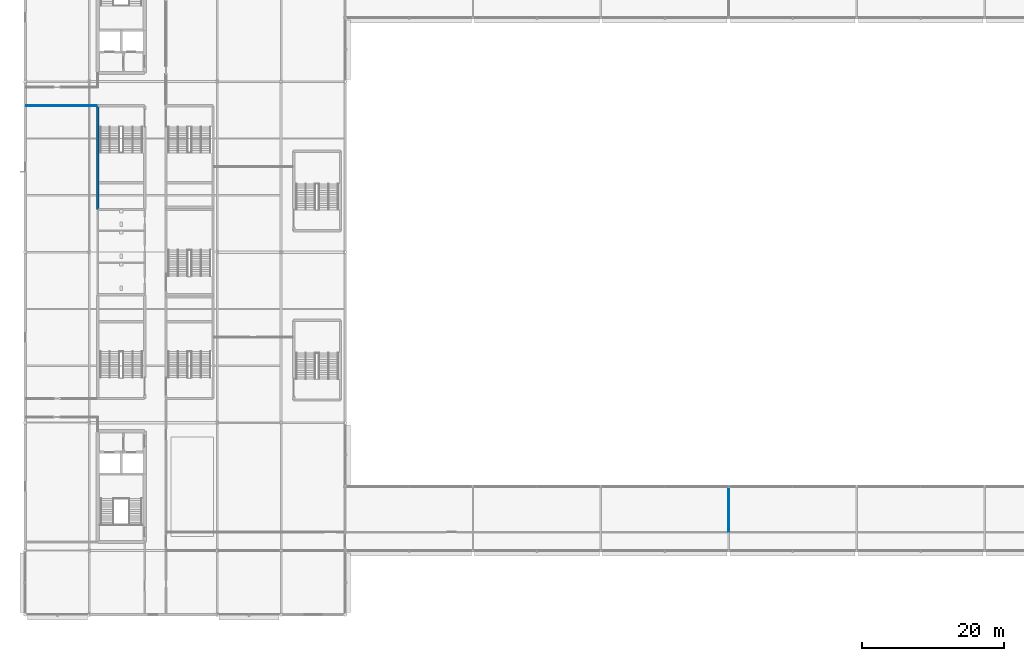
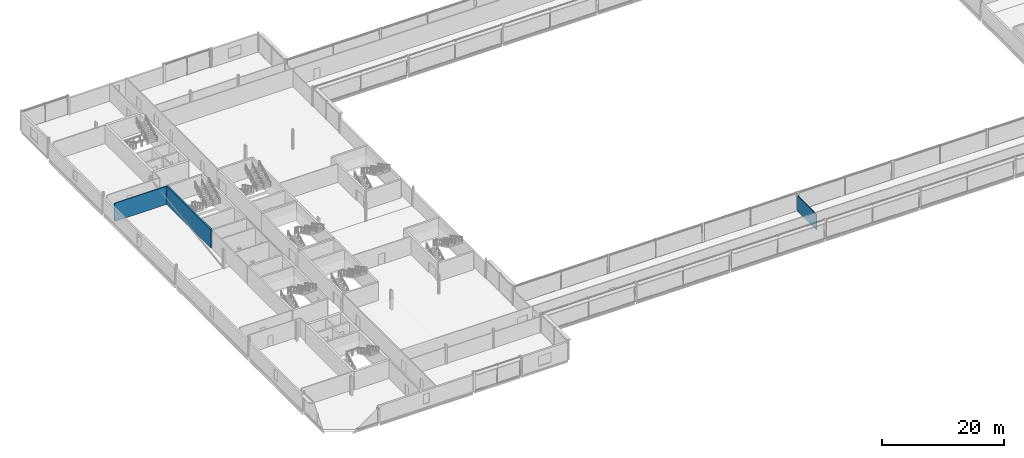
# One storey, part 56 of 96: 3 walls.
"""IFC4 building model written with IfcOpenShell, lengths in metres."""

from ifc_helpers import new_model, si_unit, direction, frame, frame_2d, origin, place, context, subcontext, project, spatial, rectangle, extrude, material, layer, layer_set, type_object, element, save


model = new_model("IFC4")

# Units and contexts
model_context = context("Model", 3, precision=1e-05, world=origin(), true_north=direction((0.0, 1.0)))
body_context = subcontext(model_context, "Body", "Model", "MODEL_VIEW")
ifc_project = project(units=[si_unit("LENGTHUNIT", "METRE"), si_unit("AREAUNIT", "SQUARE_METRE"), si_unit("VOLUMEUNIT", "CUBIC_METRE"), si_unit("PLANEANGLEUNIT", "RADIAN"), si_unit("MASSUNIT", "GRAM", prefix="KILO")], contexts=[model_context])

# Site, building, storey
site_placement = place(None, origin())
site = spatial("IfcSite", under=ifc_project, at=site_placement, CompositionType="ELEMENT")
building_placement = place(site_placement, origin())
building = spatial("IfcBuilding", under=site, at=building_placement, Name="Kisiwana Market Hall", CompositionType="ELEMENT")
storey_placement = place(building_placement, frame((0.0, 0.0, 25.5)))
storey = spatial("IfcBuildingStorey", under=building, at=storey_placement, Name="L05", CompositionType="ELEMENT", Elevation=25.5)

# Walls
ifc_material_1 = material(Name="Concrete C40/50", Category="concrete")
ifc_layer_1 = layer(ifc_material_1, 0.320068359375, Name="Reinforced concrete shaft wall")
ifc_layer_set_1 = layer_set([ifc_layer_1], Name="WL-CORE-320")
wall_type_1 = type_object("IfcWallType", Name="WL-CORE-320", PredefinedType="SHEAR", material=ifc_layer_set_1)
wall_1_placement = place(storey_placement, frame((10.199951171875, 66.0, 0.0), z_axis=(0.0, 0.0, 1.0), x_axis=(0.0, 1.0, 0.0)))
element("IfcWall", 1, at=wall_1_placement, inside=storey, type_object=wall_type_1, Name="Core W4 outer shear wall W-1745", PredefinedType="SHEAR", context=body_context, shape_type="SweptSolid", body=[
    extrude(rectangle(XDim=14.60009765625, YDim=0.320068359375, at=frame_2d((7.300048828125, 0.0))), origin(), (0.0, 0.0, 1.0), 3.655029296875),
])
ifc_material_2 = material(Name="Gypsum plasterboard")
ifc_layer_2 = layer(ifc_material_2, 0.125, Name="Double gypsum board + acoustic stud")
ifc_layer_set_2 = layer_set([ifc_layer_2], Name="WL-OFF-125")
wall_type_2 = type_object("IfcWallType", Name="WL-OFF-125", PredefinedType="PARTITIONING", material=ifc_layer_set_2)
wall_2_placement = place(storey_placement, frame((99.0, 20.68505859375, 0.0), z_axis=(0.0, 0.0, 1.0), x_axis=(0.0, 1.0, 0.0)))
element("IfcWall", 2, at=wall_2_placement, inside=storey, type_object=wall_type_2, Name="Interior partition W-1886", PredefinedType="PARTITIONING", context=body_context, shape_type="SweptSolid", body=[
    extrude(rectangle(XDim=6.23486328125, YDim=0.125, at=frame_2d((3.117431640625, 0.0))), origin(), (0.0, 0.0, 1.0), 3.101806640625),
])
ifc_material_3 = material(Name="Masonry blockwork", Category="masonry")
ifc_layer_3 = layer(ifc_material_3, 0.139892578125)
ifc_layer_set_3 = layer_set([ifc_layer_3], Name="WL-PART-140")
wall_type_3 = type_object("IfcWallType", Name="WL-PART-140", PredefinedType="PARTITIONING", material=ifc_layer_set_3)
wall_3_placement = place(storey_placement, frame((0.157470703125, 80.60009765625, 0.0), z_axis=(0.0, 0.0, 1.0), x_axis=(1.0, 0.0, 0.0)))
element("IfcWall", 3, at=wall_3_placement, inside=storey, type_object=wall_type_3, Name="Interior partition W-1840", PredefinedType="PARTITIONING", context=body_context, shape_type="SweptSolid", body=[
    extrude(rectangle(XDim=9.882568359375, YDim=0.139892578125, at=frame_2d((4.94140625, 0.0))), origin(), (0.0, 0.0, 1.0), 3.655029296875),
])

save(model, "model.ifc")
